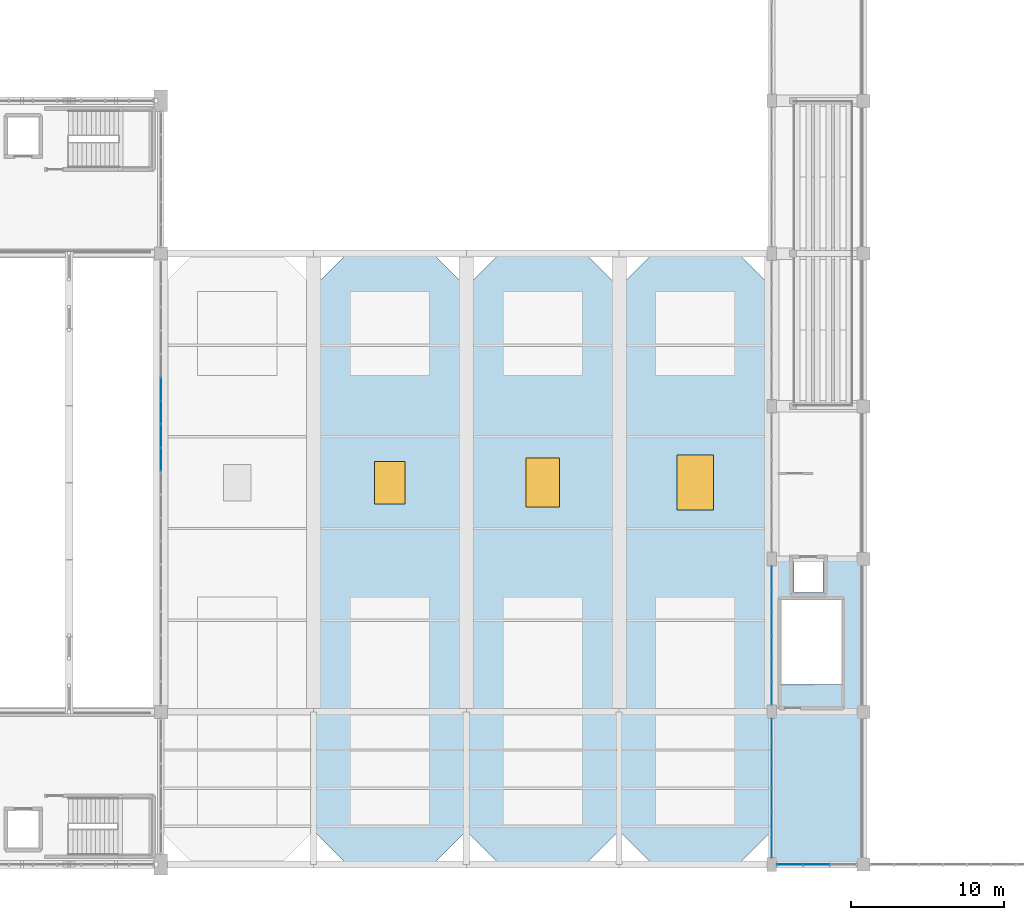
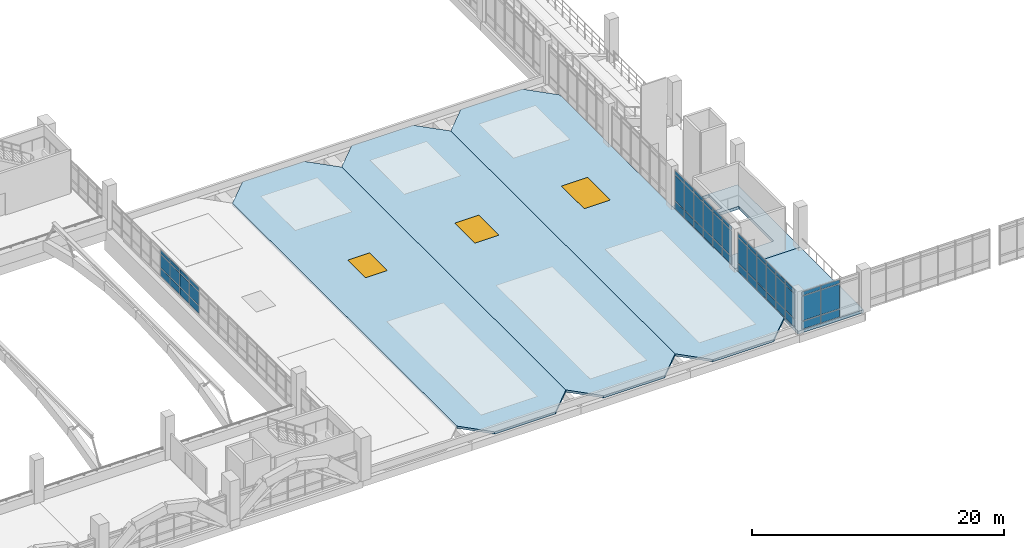
# One storey, part 127 of 161: 54 plates, 5 slabs, 3 windows, 3 openings, 4 elements without a shape of their own.
"""IFC4 building model written with IfcOpenShell, lengths in metres."""

from ifc_helpers import new_model, si_unit, direction, frame, origin, origin_2d, place, context, subcontext, project, spatial, polyline, rectangle, outline, extrude, material, layer, layer_set, type_object, element, fill, aggregate, save


model = new_model("IFC4")

# Units and contexts
model_context = context("Model", 3, precision=1e-05, world=origin(), true_north=direction((0.0, 1.0)))
body_context = subcontext(model_context, "Body", "Model", "MODEL_VIEW")
ifc_project = project(units=[si_unit("LENGTHUNIT", "METRE"), si_unit("AREAUNIT", "SQUARE_METRE"), si_unit("VOLUMEUNIT", "CUBIC_METRE"), si_unit("PLANEANGLEUNIT", "RADIAN"), si_unit("MASSUNIT", "GRAM", prefix="KILO")], contexts=[model_context])

# Site, building, storey
site_placement = place(None, origin())
site = spatial("IfcSite", under=ifc_project, at=site_placement, CompositionType="ELEMENT")
building_placement = place(site_placement, origin())
building = spatial("IfcBuilding", under=site, at=building_placement, Name="Mersad Railyard Sports Hall", CompositionType="ELEMENT")
storey_placement = place(building_placement, frame((0.0, 0.0, 4.800048828125)))
storey = spatial("IfcBuildingStorey", under=building, at=storey_placement, Name="L01", CompositionType="ELEMENT", Elevation=4.800048828125)

# Curtain wall, plates
ifc_material_1 = material(Name="Aluminium 6063-T6", Category="aluminium")
ifc_layer_1 = layer(ifc_material_1, 0.159912109375)
ifc_layer_set_1 = layer_set([ifc_layer_1], Name="Aluminium 6063-T6")
curtain_wall_type_1 = type_object("IfcCurtainWallType", Name="ARC-CW-CW05", PredefinedType="USERDEFINED", material=ifc_layer_set_1)
curtain_wall_1_placement = place(storey_placement, origin())
curtain_wall_1 = element("IfcCurtainWall", 1, at=curtain_wall_1_placement, inside=storey, type_object=curtain_wall_type_1, Name="Curtain wall CW05-0027", ObjectType="CURTAIN WALL", PredefinedType="USERDEFINED")
ifc_material_2 = material(Name="Solar-control glass", Category="glass")
ifc_layer_2 = layer(ifc_material_2, 0.028076171875)
ifc_layer_set_2 = layer_set([ifc_layer_2], Name="Solar-control glass")
plate_type = type_object("IfcPlateType", Name="ARC-CW-PNL01", PredefinedType="CURTAIN_PANEL", material=ifc_layer_set_2)
plate_1_placement = place(storey_placement, frame((91.0, 34.62841796875, 0.0849609375), z_axis=(0.0, 0.0, 1.0), x_axis=(0.0, -1.0, 0.0)))
plate_1 = element("IfcPlate", 2, at=plate_1_placement, type_object=plate_type, Name="CW05 Glazed panel 6-1", PredefinedType="CURTAIN_PANEL", context=body_context, shape_type="SweptSolid", body=[
    extrude(rectangle(XDim=1.488037109375, YDim=0.028076171875, at=origin_2d()), origin(), (0.0, 0.0, 1.0), 0.719970703125),
])
plate_2_placement = place(storey_placement, frame((91.0, 34.62841796875, 0.89501953125), z_axis=(0.0, 0.0, 1.0), x_axis=(0.0, -1.0, 0.0)))
plate_2 = element("IfcPlate", 3, at=plate_2_placement, type_object=plate_type, Name="CW05 Glazed panel 6-2", PredefinedType="CURTAIN_PANEL", context=body_context, shape_type="SweptSolid", body=[
    extrude(rectangle(XDim=1.488037109375, YDim=0.028076171875, at=origin_2d()), origin(), (0.0, 0.0, 1.0), 1.260009765625),
])
plate_3_placement = place(storey_placement, frame((91.0, 34.62841796875, 2.244873046875), z_axis=(0.0, 0.0, 1.0), x_axis=(0.0, -1.0, 0.0)))
plate_3 = element("IfcPlate", 4, at=plate_3_placement, type_object=plate_type, Name="CW05 Glazed panel 6-3", PredefinedType="CURTAIN_PANEL", context=body_context, shape_type="SweptSolid", body=[
    extrude(rectangle(XDim=1.488037109375, YDim=0.028076171875, at=origin_2d()), origin(), (0.0, 0.0, 1.0), 0.35009765625),
])
plate_4_placement = place(storey_placement, frame((91.0, 33.096435546875, 0.0849609375), z_axis=(0.0, 0.0, 1.0), x_axis=(0.0, -1.0, 0.0)))
plate_4 = element("IfcPlate", 5, at=plate_4_placement, type_object=plate_type, Name="CW05 Glazed panel 7-1", PredefinedType="CURTAIN_PANEL", context=body_context, shape_type="SweptSolid", body=[
    extrude(rectangle(XDim=1.488037109375, YDim=0.028076171875, at=origin_2d()), origin(), (0.0, 0.0, 1.0), 0.719970703125),
])
plate_5_placement = place(storey_placement, frame((91.0, 33.096435546875, 0.89501953125), z_axis=(0.0, 0.0, 1.0), x_axis=(0.0, -1.0, 0.0)))
plate_5 = element("IfcPlate", 6, at=plate_5_placement, type_object=plate_type, Name="CW05 Glazed panel 7-2", PredefinedType="CURTAIN_PANEL", context=body_context, shape_type="SweptSolid", body=[
    extrude(rectangle(XDim=1.488037109375, YDim=0.028076171875, at=origin_2d()), origin(), (0.0, 0.0, 1.0), 1.260009765625),
])
plate_6_placement = place(storey_placement, frame((91.0, 33.096435546875, 2.244873046875), z_axis=(0.0, 0.0, 1.0), x_axis=(0.0, -1.0, 0.0)))
plate_6 = element("IfcPlate", 7, at=plate_6_placement, type_object=plate_type, Name="CW05 Glazed panel 7-3", PredefinedType="CURTAIN_PANEL", context=body_context, shape_type="SweptSolid", body=[
    extrude(rectangle(XDim=1.488037109375, YDim=0.028076171875, at=origin_2d()), origin(), (0.0, 0.0, 1.0), 0.35009765625),
])
plate_7_placement = place(storey_placement, frame((91.0, 31.564208984375, 0.0849609375), z_axis=(0.0, 0.0, 1.0), x_axis=(0.0, -1.0, 0.0)))
plate_7 = element("IfcPlate", 8, at=plate_7_placement, type_object=plate_type, Name="CW05 Glazed panel 8-1", PredefinedType="CURTAIN_PANEL", context=body_context, shape_type="SweptSolid", body=[
    extrude(rectangle(XDim=1.488037109375, YDim=0.028076171875, at=origin_2d()), origin(), (0.0, 0.0, 1.0), 0.719970703125),
])
plate_8_placement = place(storey_placement, frame((91.0, 31.564208984375, 0.89501953125), z_axis=(0.0, 0.0, 1.0), x_axis=(0.0, -1.0, 0.0)))
plate_8 = element("IfcPlate", 9, at=plate_8_placement, type_object=plate_type, Name="CW05 Glazed panel 8-2", PredefinedType="CURTAIN_PANEL", context=body_context, shape_type="SweptSolid", body=[
    extrude(rectangle(XDim=1.488037109375, YDim=0.028076171875, at=origin_2d()), origin(), (0.0, 0.0, 1.0), 1.260009765625),
])
plate_9_placement = place(storey_placement, frame((91.0, 31.564208984375, 2.244873046875), z_axis=(0.0, 0.0, 1.0), x_axis=(0.0, -1.0, 0.0)))
plate_9 = element("IfcPlate", 10, at=plate_9_placement, type_object=plate_type, Name="CW05 Glazed panel 8-3", PredefinedType="CURTAIN_PANEL", context=body_context, shape_type="SweptSolid", body=[
    extrude(rectangle(XDim=1.488037109375, YDim=0.028076171875, at=origin_2d()), origin(), (0.0, 0.0, 1.0), 0.35009765625),
])
plate_10_placement = place(storey_placement, frame((91.0, 30.0322265625, 0.0849609375), z_axis=(0.0, 0.0, 1.0), x_axis=(0.0, -1.0, 0.0)))
plate_10 = element("IfcPlate", 11, at=plate_10_placement, type_object=plate_type, Name="CW05 Glazed panel 9-1", PredefinedType="CURTAIN_PANEL", context=body_context, shape_type="SweptSolid", body=[
    extrude(rectangle(XDim=1.488037109375, YDim=0.028076171875, at=origin_2d()), origin(), (0.0, 0.0, 1.0), 0.719970703125),
])
plate_11_placement = place(storey_placement, frame((91.0, 30.0322265625, 0.89501953125), z_axis=(0.0, 0.0, 1.0), x_axis=(0.0, -1.0, 0.0)))
plate_11 = element("IfcPlate", 12, at=plate_11_placement, type_object=plate_type, Name="CW05 Glazed panel 9-2", PredefinedType="CURTAIN_PANEL", context=body_context, shape_type="SweptSolid", body=[
    extrude(rectangle(XDim=1.488037109375, YDim=0.028076171875, at=origin_2d()), origin(), (0.0, 0.0, 1.0), 1.260009765625),
])
plate_12_placement = place(storey_placement, frame((91.0, 30.0322265625, 2.244873046875), z_axis=(0.0, 0.0, 1.0), x_axis=(0.0, -1.0, 0.0)))
plate_12 = element("IfcPlate", 13, at=plate_12_placement, type_object=plate_type, Name="CW05 Glazed panel 9-3", PredefinedType="CURTAIN_PANEL", context=body_context, shape_type="SweptSolid", body=[
    extrude(rectangle(XDim=1.488037109375, YDim=0.028076171875, at=origin_2d()), origin(), (0.0, 0.0, 1.0), 0.35009765625),
])
aggregate(curtain_wall_1, [plate_1, plate_2, plate_3, plate_4, plate_5, plate_6, plate_7, plate_8, plate_9, plate_10, plate_11, plate_12])

ifc_layer_3 = layer(ifc_material_1, 0.199951171875)
ifc_layer_set_3 = layer_set([ifc_layer_3], Name="Aluminium 6063-T6")
curtain_wall_type_2 = type_object("IfcCurtainWallType", Name="ARC-CW-CW09", PredefinedType="USERDEFINED", material=ifc_layer_set_3)
curtain_wall_2_placement = place(storey_placement, origin())
curtain_wall_2 = element("IfcCurtainWall", 14, at=curtain_wall_2_placement, inside=storey, type_object=curtain_wall_type_2, Name="Curtain wall CW09-0036", ObjectType="CURTAIN WALL", PredefinedType="USERDEFINED")
plate_13_placement = place(storey_placement, frame((133.9375, 3.5, 0.0849609375), z_axis=(0.0, 0.0, 1.0), x_axis=(-1.0, 0.0, 0.0)))
plate_13 = element("IfcPlate", 15, at=plate_13_placement, type_object=plate_type, Name="CW09 Glazed panel 2-1", PredefinedType="CURTAIN_PANEL", context=body_context, shape_type="SweptSolid", body=[
    extrude(rectangle(XDim=1.700927734375, YDim=0.028076171875, at=origin_2d()), origin(), (0.0, 0.0, 1.0), 0.719970703125),
])
plate_14_placement = place(storey_placement, frame((133.9375, 3.5, 0.89501953125), z_axis=(0.0, 0.0, 1.0), x_axis=(-1.0, 0.0, 0.0)))
plate_14 = element("IfcPlate", 16, at=plate_14_placement, type_object=plate_type, Name="CW09 Glazed panel 2-2", PredefinedType="CURTAIN_PANEL", context=body_context, shape_type="SweptSolid", body=[
    extrude(rectangle(XDim=1.700927734375, YDim=0.028076171875, at=origin_2d()), origin(), (0.0, 0.0, 1.0), 2.360107421875),
])
plate_15_placement = place(storey_placement, frame((133.9375, 3.5, 3.344970703125), z_axis=(0.0, 0.0, 1.0), x_axis=(-1.0, 0.0, 0.0)))
plate_15 = element("IfcPlate", 17, at=plate_15_placement, type_object=plate_type, Name="CW09 Glazed panel 2-3", PredefinedType="CURTAIN_PANEL", context=body_context, shape_type="SweptSolid", body=[
    extrude(rectangle(XDim=1.700927734375, YDim=0.028076171875, at=origin_2d()), origin(), (0.0, 0.0, 1.0), 0.35009765625),
])
plate_16_placement = place(storey_placement, frame((132.1923828125, 3.5, 0.0849609375), z_axis=(0.0, 0.0, 1.0), x_axis=(-1.0, 0.0, 0.0)))
plate_16 = element("IfcPlate", 18, at=plate_16_placement, type_object=plate_type, Name="CW09 Glazed panel 3-1", PredefinedType="CURTAIN_PANEL", context=body_context, shape_type="SweptSolid", body=[
    extrude(rectangle(XDim=1.700927734375, YDim=0.028076171875, at=origin_2d()), origin(), (0.0, 0.0, 1.0), 0.719970703125),
])
plate_17_placement = place(storey_placement, frame((132.1923828125, 3.5, 0.89501953125), z_axis=(0.0, 0.0, 1.0), x_axis=(-1.0, 0.0, 0.0)))
plate_17 = element("IfcPlate", 19, at=plate_17_placement, type_object=plate_type, Name="CW09 Glazed panel 3-2", PredefinedType="CURTAIN_PANEL", context=body_context, shape_type="SweptSolid", body=[
    extrude(rectangle(XDim=1.700927734375, YDim=0.028076171875, at=origin_2d()), origin(), (0.0, 0.0, 1.0), 2.360107421875),
])
plate_18_placement = place(storey_placement, frame((132.1923828125, 3.5, 3.344970703125), z_axis=(0.0, 0.0, 1.0), x_axis=(-1.0, 0.0, 0.0)))
plate_18 = element("IfcPlate", 20, at=plate_18_placement, type_object=plate_type, Name="CW09 Glazed panel 3-3", PredefinedType="CURTAIN_PANEL", context=body_context, shape_type="SweptSolid", body=[
    extrude(rectangle(XDim=1.700927734375, YDim=0.028076171875, at=origin_2d()), origin(), (0.0, 0.0, 1.0), 0.35009765625),
])
aggregate(curtain_wall_2, [plate_13, plate_14, plate_15, plate_16, plate_17, plate_18])

ifc_layer_4 = layer(ifc_material_1, 0.159912109375)
ifc_layer_set_4 = layer_set([ifc_layer_4], Name="Aluminium 6063-T6")
curtain_wall_type_3 = type_object("IfcCurtainWallType", Name="ARC-CW-CW14", PredefinedType="USERDEFINED", material=ifc_layer_set_4)
curtain_wall_3_placement = place(storey_placement, origin())
curtain_wall_3 = element("IfcCurtainWall", 21, at=curtain_wall_3_placement, inside=storey, type_object=curtain_wall_type_3, Name="Curtain wall CW14-0064", ObjectType="CURTAIN WALL", PredefinedType="USERDEFINED")
plate_19_placement = place(storey_placement, frame((131.0, 4.72509765625, 0.0849609375), z_axis=(0.0, 0.0, 1.0), x_axis=(0.0, 1.0, 0.0)))
plate_19 = element("IfcPlate", 22, at=plate_19_placement, type_object=plate_type, Name="CW14 Glazed panel 1-1", PredefinedType="CURTAIN_PANEL", context=body_context, shape_type="SweptSolid", body=[
    extrude(rectangle(XDim=1.466064453125, YDim=0.028076171875, at=origin_2d()), origin(), (0.0, 0.0, 1.0), 0.719970703125),
])
plate_20_placement = place(storey_placement, frame((131.0, 4.72509765625, 0.89501953125), z_axis=(0.0, 0.0, 1.0), x_axis=(0.0, 1.0, 0.0)))
plate_20 = element("IfcPlate", 23, at=plate_20_placement, type_object=plate_type, Name="CW14 Glazed panel 1-2", PredefinedType="CURTAIN_PANEL", context=body_context, shape_type="SweptSolid", body=[
    extrude(rectangle(XDim=1.466064453125, YDim=0.028076171875, at=origin_2d()), origin(), (0.0, 0.0, 1.0), 2.409912109375),
])
plate_21_placement = place(storey_placement, frame((131.0, 4.72509765625, 3.39501953125), z_axis=(0.0, 0.0, 1.0), x_axis=(0.0, 1.0, 0.0)))
plate_21 = element("IfcPlate", 24, at=plate_21_placement, type_object=plate_type, Name="CW14 Glazed panel 1-3", PredefinedType="CURTAIN_PANEL", context=body_context, shape_type="SweptSolid", body=[
    extrude(rectangle(XDim=1.466064453125, YDim=0.028076171875, at=origin_2d()), origin(), (0.0, 0.0, 1.0), 0.35009765625),
])
plate_22_placement = place(storey_placement, frame((131.0, 6.235107421875, 0.0849609375), z_axis=(0.0, 0.0, 1.0), x_axis=(0.0, 1.0, 0.0)))
plate_22 = element("IfcPlate", 25, at=plate_22_placement, type_object=plate_type, Name="CW14 Glazed panel 2-1", PredefinedType="CURTAIN_PANEL", context=body_context, shape_type="SweptSolid", body=[
    extrude(rectangle(XDim=1.466064453125, YDim=0.028076171875, at=origin_2d()), origin(), (0.0, 0.0, 1.0), 0.719970703125),
])
plate_23_placement = place(storey_placement, frame((131.0, 6.235107421875, 0.89501953125), z_axis=(0.0, 0.0, 1.0), x_axis=(0.0, 1.0, 0.0)))
plate_23 = element("IfcPlate", 26, at=plate_23_placement, type_object=plate_type, Name="CW14 Glazed panel 2-2", PredefinedType="CURTAIN_PANEL", context=body_context, shape_type="SweptSolid", body=[
    extrude(rectangle(XDim=1.466064453125, YDim=0.028076171875, at=origin_2d()), origin(), (0.0, 0.0, 1.0), 2.409912109375),
])
plate_24_placement = place(storey_placement, frame((131.0, 6.235107421875, 3.39501953125), z_axis=(0.0, 0.0, 1.0), x_axis=(0.0, 1.0, 0.0)))
plate_24 = element("IfcPlate", 27, at=plate_24_placement, type_object=plate_type, Name="CW14 Glazed panel 2-3", PredefinedType="CURTAIN_PANEL", context=body_context, shape_type="SweptSolid", body=[
    extrude(rectangle(XDim=1.466064453125, YDim=0.028076171875, at=origin_2d()), origin(), (0.0, 0.0, 1.0), 0.35009765625),
])
plate_25_placement = place(storey_placement, frame((131.0, 7.7451171875, 0.0849609375), z_axis=(0.0, 0.0, 1.0), x_axis=(0.0, 1.0, 0.0)))
plate_25 = element("IfcPlate", 28, at=plate_25_placement, type_object=plate_type, Name="CW14 Glazed panel 3-1", PredefinedType="CURTAIN_PANEL", context=body_context, shape_type="SweptSolid", body=[
    extrude(rectangle(XDim=1.466064453125, YDim=0.028076171875, at=origin_2d()), origin(), (0.0, 0.0, 1.0), 0.719970703125),
])
plate_26_placement = place(storey_placement, frame((131.0, 7.7451171875, 0.89501953125), z_axis=(0.0, 0.0, 1.0), x_axis=(0.0, 1.0, 0.0)))
plate_26 = element("IfcPlate", 29, at=plate_26_placement, type_object=plate_type, Name="CW14 Glazed panel 3-2", PredefinedType="CURTAIN_PANEL", context=body_context, shape_type="SweptSolid", body=[
    extrude(rectangle(XDim=1.466064453125, YDim=0.028076171875, at=origin_2d()), origin(), (0.0, 0.0, 1.0), 2.409912109375),
])
plate_27_placement = place(storey_placement, frame((131.0, 7.7451171875, 3.39501953125), z_axis=(0.0, 0.0, 1.0), x_axis=(0.0, 1.0, 0.0)))
plate_27 = element("IfcPlate", 30, at=plate_27_placement, type_object=plate_type, Name="CW14 Glazed panel 3-3", PredefinedType="CURTAIN_PANEL", context=body_context, shape_type="SweptSolid", body=[
    extrude(rectangle(XDim=1.466064453125, YDim=0.028076171875, at=origin_2d()), origin(), (0.0, 0.0, 1.0), 0.35009765625),
])
plate_28_placement = place(storey_placement, frame((131.0, 9.2548828125, 0.0849609375), z_axis=(0.0, 0.0, 1.0), x_axis=(0.0, 1.0, 0.0)))
plate_28 = element("IfcPlate", 31, at=plate_28_placement, type_object=plate_type, Name="CW14 Glazed panel 4-1", PredefinedType="CURTAIN_PANEL", context=body_context, shape_type="SweptSolid", body=[
    extrude(rectangle(XDim=1.466064453125, YDim=0.028076171875, at=origin_2d()), origin(), (0.0, 0.0, 1.0), 0.719970703125),
])
plate_29_placement = place(storey_placement, frame((131.0, 9.2548828125, 0.89501953125), z_axis=(0.0, 0.0, 1.0), x_axis=(0.0, 1.0, 0.0)))
plate_29 = element("IfcPlate", 32, at=plate_29_placement, type_object=plate_type, Name="CW14 Glazed panel 4-2", PredefinedType="CURTAIN_PANEL", context=body_context, shape_type="SweptSolid", body=[
    extrude(rectangle(XDim=1.466064453125, YDim=0.028076171875, at=origin_2d()), origin(), (0.0, 0.0, 1.0), 2.409912109375),
])
plate_30_placement = place(storey_placement, frame((131.0, 9.2548828125, 3.39501953125), z_axis=(0.0, 0.0, 1.0), x_axis=(0.0, 1.0, 0.0)))
plate_30 = element("IfcPlate", 33, at=plate_30_placement, type_object=plate_type, Name="CW14 Glazed panel 4-3", PredefinedType="CURTAIN_PANEL", context=body_context, shape_type="SweptSolid", body=[
    extrude(rectangle(XDim=1.466064453125, YDim=0.028076171875, at=origin_2d()), origin(), (0.0, 0.0, 1.0), 0.35009765625),
])
plate_31_placement = place(storey_placement, frame((131.0, 10.764892578125, 0.0849609375), z_axis=(0.0, 0.0, 1.0), x_axis=(0.0, 1.0, 0.0)))
plate_31 = element("IfcPlate", 34, at=plate_31_placement, type_object=plate_type, Name="CW14 Glazed panel 5-1", PredefinedType="CURTAIN_PANEL", context=body_context, shape_type="SweptSolid", body=[
    extrude(rectangle(XDim=1.466064453125, YDim=0.028076171875, at=origin_2d()), origin(), (0.0, 0.0, 1.0), 0.719970703125),
])
plate_32_placement = place(storey_placement, frame((131.0, 10.764892578125, 0.89501953125), z_axis=(0.0, 0.0, 1.0), x_axis=(0.0, 1.0, 0.0)))
plate_32 = element("IfcPlate", 35, at=plate_32_placement, type_object=plate_type, Name="CW14 Glazed panel 5-2", PredefinedType="CURTAIN_PANEL", context=body_context, shape_type="SweptSolid", body=[
    extrude(rectangle(XDim=1.466064453125, YDim=0.028076171875, at=origin_2d()), origin(), (0.0, 0.0, 1.0), 2.409912109375),
])
plate_33_placement = place(storey_placement, frame((131.0, 10.764892578125, 3.39501953125), z_axis=(0.0, 0.0, 1.0), x_axis=(0.0, 1.0, 0.0)))
plate_33 = element("IfcPlate", 36, at=plate_33_placement, type_object=plate_type, Name="CW14 Glazed panel 5-3", PredefinedType="CURTAIN_PANEL", context=body_context, shape_type="SweptSolid", body=[
    extrude(rectangle(XDim=1.466064453125, YDim=0.028076171875, at=origin_2d()), origin(), (0.0, 0.0, 1.0), 0.35009765625),
])
plate_34_placement = place(storey_placement, frame((131.0, 12.27490234375, 0.0849609375), z_axis=(0.0, 0.0, 1.0), x_axis=(0.0, 1.0, 0.0)))
plate_34 = element("IfcPlate", 37, at=plate_34_placement, type_object=plate_type, Name="CW14 Glazed panel 6-1", PredefinedType="CURTAIN_PANEL", context=body_context, shape_type="SweptSolid", body=[
    extrude(rectangle(XDim=1.466064453125, YDim=0.028076171875, at=origin_2d()), origin(), (0.0, 0.0, 1.0), 0.719970703125),
])
plate_35_placement = place(storey_placement, frame((131.0, 12.27490234375, 0.89501953125), z_axis=(0.0, 0.0, 1.0), x_axis=(0.0, 1.0, 0.0)))
plate_35 = element("IfcPlate", 38, at=plate_35_placement, type_object=plate_type, Name="CW14 Glazed panel 6-2", PredefinedType="CURTAIN_PANEL", context=body_context, shape_type="SweptSolid", body=[
    extrude(rectangle(XDim=1.466064453125, YDim=0.028076171875, at=origin_2d()), origin(), (0.0, 0.0, 1.0), 2.409912109375),
])
plate_36_placement = place(storey_placement, frame((131.0, 12.27490234375, 3.39501953125), z_axis=(0.0, 0.0, 1.0), x_axis=(0.0, 1.0, 0.0)))
plate_36 = element("IfcPlate", 39, at=plate_36_placement, type_object=plate_type, Name="CW14 Glazed panel 6-3", PredefinedType="CURTAIN_PANEL", context=body_context, shape_type="SweptSolid", body=[
    extrude(rectangle(XDim=1.466064453125, YDim=0.028076171875, at=origin_2d()), origin(), (0.0, 0.0, 1.0), 0.35009765625),
])
aggregate(curtain_wall_3, [plate_19, plate_20, plate_21, plate_22, plate_23, plate_24, plate_25, plate_26, plate_27, plate_28, plate_29, plate_30, plate_31, plate_32, plate_33, plate_34, plate_35, plate_36])

ifc_layer_5 = layer(ifc_material_1, 0.159912109375)
ifc_layer_set_5 = layer_set([ifc_layer_5], Name="Aluminium 6063-T6")
curtain_wall_type_4 = type_object("IfcCurtainWallType", Name="ARC-CW-CW25", PredefinedType="USERDEFINED", material=ifc_layer_set_5)
curtain_wall_4_placement = place(storey_placement, origin())
curtain_wall_4 = element("IfcCurtainWall", 40, at=curtain_wall_4_placement, inside=storey, type_object=curtain_wall_type_4, Name="Curtain wall CW25-0066", ObjectType="CURTAIN WALL", PredefinedType="USERDEFINED")
plate_37_placement = place(storey_placement, frame((131.0, 14.72509765625, 0.0849609375), z_axis=(0.0, 0.0, 1.0), x_axis=(0.0, 1.0, 0.0)))
plate_37 = element("IfcPlate", 41, at=plate_37_placement, type_object=plate_type, Name="CW25 Glazed panel 1-1", PredefinedType="CURTAIN_PANEL", context=body_context, shape_type="SweptSolid", body=[
    extrude(rectangle(XDim=1.466064453125, YDim=0.028076171875, at=origin_2d()), origin(), (0.0, 0.0, 1.0), 0.719970703125),
])
plate_38_placement = place(storey_placement, frame((131.0, 14.72509765625, 0.89501953125), z_axis=(0.0, 0.0, 1.0), x_axis=(0.0, 1.0, 0.0)))
plate_38 = element("IfcPlate", 42, at=plate_38_placement, type_object=plate_type, Name="CW25 Glazed panel 1-2", PredefinedType="CURTAIN_PANEL", context=body_context, shape_type="SweptSolid", body=[
    extrude(rectangle(XDim=1.466064453125, YDim=0.028076171875, at=origin_2d()), origin(), (0.0, 0.0, 1.0), 2.43994140625),
])
plate_39_placement = place(storey_placement, frame((131.0, 14.72509765625, 3.4248046875), z_axis=(0.0, 0.0, 1.0), x_axis=(0.0, 1.0, 0.0)))
plate_39 = element("IfcPlate", 43, at=plate_39_placement, type_object=plate_type, Name="CW25 Glazed panel 1-3", PredefinedType="CURTAIN_PANEL", context=body_context, shape_type="SweptSolid", body=[
    extrude(rectangle(XDim=1.466064453125, YDim=0.028076171875, at=origin_2d()), origin(), (0.0, 0.0, 1.0), 0.35009765625),
])
plate_40_placement = place(storey_placement, frame((131.0, 16.235107421875, 0.0849609375), z_axis=(0.0, 0.0, 1.0), x_axis=(0.0, 1.0, 0.0)))
plate_40 = element("IfcPlate", 44, at=plate_40_placement, type_object=plate_type, Name="CW25 Glazed panel 2-1", PredefinedType="CURTAIN_PANEL", context=body_context, shape_type="SweptSolid", body=[
    extrude(rectangle(XDim=1.466064453125, YDim=0.028076171875, at=origin_2d()), origin(), (0.0, 0.0, 1.0), 0.719970703125),
])
plate_41_placement = place(storey_placement, frame((131.0, 16.235107421875, 0.89501953125), z_axis=(0.0, 0.0, 1.0), x_axis=(0.0, 1.0, 0.0)))
plate_41 = element("IfcPlate", 45, at=plate_41_placement, type_object=plate_type, Name="CW25 Glazed panel 2-2", PredefinedType="CURTAIN_PANEL", context=body_context, shape_type="SweptSolid", body=[
    extrude(rectangle(XDim=1.466064453125, YDim=0.028076171875, at=origin_2d()), origin(), (0.0, 0.0, 1.0), 2.43994140625),
])
plate_42_placement = place(storey_placement, frame((131.0, 16.235107421875, 3.4248046875), z_axis=(0.0, 0.0, 1.0), x_axis=(0.0, 1.0, 0.0)))
plate_42 = element("IfcPlate", 46, at=plate_42_placement, type_object=plate_type, Name="CW25 Glazed panel 2-3", PredefinedType="CURTAIN_PANEL", context=body_context, shape_type="SweptSolid", body=[
    extrude(rectangle(XDim=1.466064453125, YDim=0.028076171875, at=origin_2d()), origin(), (0.0, 0.0, 1.0), 0.35009765625),
])
plate_43_placement = place(storey_placement, frame((131.0, 17.7451171875, 0.0849609375), z_axis=(0.0, 0.0, 1.0), x_axis=(0.0, 1.0, 0.0)))
plate_43 = element("IfcPlate", 47, at=plate_43_placement, type_object=plate_type, Name="CW25 Glazed panel 3-1", PredefinedType="CURTAIN_PANEL", context=body_context, shape_type="SweptSolid", body=[
    extrude(rectangle(XDim=1.466064453125, YDim=0.028076171875, at=origin_2d()), origin(), (0.0, 0.0, 1.0), 0.719970703125),
])
plate_44_placement = place(storey_placement, frame((131.0, 17.7451171875, 0.89501953125), z_axis=(0.0, 0.0, 1.0), x_axis=(0.0, 1.0, 0.0)))
plate_44 = element("IfcPlate", 48, at=plate_44_placement, type_object=plate_type, Name="CW25 Glazed panel 3-2", PredefinedType="CURTAIN_PANEL", context=body_context, shape_type="SweptSolid", body=[
    extrude(rectangle(XDim=1.466064453125, YDim=0.028076171875, at=origin_2d()), origin(), (0.0, 0.0, 1.0), 2.43994140625),
])
plate_45_placement = place(storey_placement, frame((131.0, 17.7451171875, 3.4248046875), z_axis=(0.0, 0.0, 1.0), x_axis=(0.0, 1.0, 0.0)))
plate_45 = element("IfcPlate", 49, at=plate_45_placement, type_object=plate_type, Name="CW25 Glazed panel 3-3", PredefinedType="CURTAIN_PANEL", context=body_context, shape_type="SweptSolid", body=[
    extrude(rectangle(XDim=1.466064453125, YDim=0.028076171875, at=origin_2d()), origin(), (0.0, 0.0, 1.0), 0.35009765625),
])
plate_46_placement = place(storey_placement, frame((131.0, 19.2548828125, 0.0849609375), z_axis=(0.0, 0.0, 1.0), x_axis=(0.0, 1.0, 0.0)))
plate_46 = element("IfcPlate", 50, at=plate_46_placement, type_object=plate_type, Name="CW25 Glazed panel 4-1", PredefinedType="CURTAIN_PANEL", context=body_context, shape_type="SweptSolid", body=[
    extrude(rectangle(XDim=1.466064453125, YDim=0.028076171875, at=origin_2d()), origin(), (0.0, 0.0, 1.0), 0.719970703125),
])
plate_47_placement = place(storey_placement, frame((131.0, 19.2548828125, 0.89501953125), z_axis=(0.0, 0.0, 1.0), x_axis=(0.0, 1.0, 0.0)))
plate_47 = element("IfcPlate", 51, at=plate_47_placement, type_object=plate_type, Name="CW25 Glazed panel 4-2", PredefinedType="CURTAIN_PANEL", context=body_context, shape_type="SweptSolid", body=[
    extrude(rectangle(XDim=1.466064453125, YDim=0.028076171875, at=origin_2d()), origin(), (0.0, 0.0, 1.0), 2.43994140625),
])
plate_48_placement = place(storey_placement, frame((131.0, 19.2548828125, 3.4248046875), z_axis=(0.0, 0.0, 1.0), x_axis=(0.0, 1.0, 0.0)))
plate_48 = element("IfcPlate", 52, at=plate_48_placement, type_object=plate_type, Name="CW25 Glazed panel 4-3", PredefinedType="CURTAIN_PANEL", context=body_context, shape_type="SweptSolid", body=[
    extrude(rectangle(XDim=1.466064453125, YDim=0.028076171875, at=origin_2d()), origin(), (0.0, 0.0, 1.0), 0.35009765625),
])
plate_49_placement = place(storey_placement, frame((131.0, 20.764892578125, 0.0849609375), z_axis=(0.0, 0.0, 1.0), x_axis=(0.0, 1.0, 0.0)))
plate_49 = element("IfcPlate", 53, at=plate_49_placement, type_object=plate_type, Name="CW25 Glazed panel 5-1", PredefinedType="CURTAIN_PANEL", context=body_context, shape_type="SweptSolid", body=[
    extrude(rectangle(XDim=1.466064453125, YDim=0.028076171875, at=origin_2d()), origin(), (0.0, 0.0, 1.0), 0.719970703125),
])
plate_50_placement = place(storey_placement, frame((131.0, 20.764892578125, 0.89501953125), z_axis=(0.0, 0.0, 1.0), x_axis=(0.0, 1.0, 0.0)))
plate_50 = element("IfcPlate", 54, at=plate_50_placement, type_object=plate_type, Name="CW25 Glazed panel 5-2", PredefinedType="CURTAIN_PANEL", context=body_context, shape_type="SweptSolid", body=[
    extrude(rectangle(XDim=1.466064453125, YDim=0.028076171875, at=origin_2d()), origin(), (0.0, 0.0, 1.0), 2.43994140625),
])
plate_51_placement = place(storey_placement, frame((131.0, 20.764892578125, 3.4248046875), z_axis=(0.0, 0.0, 1.0), x_axis=(0.0, 1.0, 0.0)))
plate_51 = element("IfcPlate", 55, at=plate_51_placement, type_object=plate_type, Name="CW25 Glazed panel 5-3", PredefinedType="CURTAIN_PANEL", context=body_context, shape_type="SweptSolid", body=[
    extrude(rectangle(XDim=1.466064453125, YDim=0.028076171875, at=origin_2d()), origin(), (0.0, 0.0, 1.0), 0.35009765625),
])
plate_52_placement = place(storey_placement, frame((131.0, 22.27490234375, 0.0849609375), z_axis=(0.0, 0.0, 1.0), x_axis=(0.0, 1.0, 0.0)))
plate_52 = element("IfcPlate", 56, at=plate_52_placement, type_object=plate_type, Name="CW25 Glazed panel 6-1", PredefinedType="CURTAIN_PANEL", context=body_context, shape_type="SweptSolid", body=[
    extrude(rectangle(XDim=1.466064453125, YDim=0.028076171875, at=origin_2d()), origin(), (0.0, 0.0, 1.0), 0.719970703125),
])
plate_53_placement = place(storey_placement, frame((131.0, 22.27490234375, 0.89501953125), z_axis=(0.0, 0.0, 1.0), x_axis=(0.0, 1.0, 0.0)))
plate_53 = element("IfcPlate", 57, at=plate_53_placement, type_object=plate_type, Name="CW25 Glazed panel 6-2", PredefinedType="CURTAIN_PANEL", context=body_context, shape_type="SweptSolid", body=[
    extrude(rectangle(XDim=1.466064453125, YDim=0.028076171875, at=origin_2d()), origin(), (0.0, 0.0, 1.0), 2.43994140625),
])
plate_54_placement = place(storey_placement, frame((131.0, 22.27490234375, 3.4248046875), z_axis=(0.0, 0.0, 1.0), x_axis=(0.0, 1.0, 0.0)))
plate_54 = element("IfcPlate", 58, at=plate_54_placement, type_object=plate_type, Name="CW25 Glazed panel 6-3", PredefinedType="CURTAIN_PANEL", context=body_context, shape_type="SweptSolid", body=[
    extrude(rectangle(XDim=1.466064453125, YDim=0.028076171875, at=origin_2d()), origin(), (0.0, 0.0, 1.0), 0.35009765625),
])
aggregate(curtain_wall_4, [plate_37, plate_38, plate_39, plate_40, plate_41, plate_42, plate_43, plate_44, plate_45, plate_46, plate_47, plate_48, plate_49, plate_50, plate_51, plate_52, plate_53, plate_54])

# Slabs
ifc_material_3 = material(Name="Concrete C40/50", Category="concrete")
ifc_layer_6 = layer(ifc_material_3, 0.280029296875)
ifc_layer_set_6 = layer_set([ifc_layer_6], Name="Concrete C40/50")
slab_type_1 = type_object("IfcSlabType", Name="STR-SL-FL02", PredefinedType="FLOOR", material=ifc_layer_set_6)
slab_1_placement = place(storey_placement, frame((0.0, 0.0, -0.280029296875)))
element("IfcSlab", 59, at=slab_1_placement, inside=storey, type_object=slab_type_1, Name="Slab SL02-0055", PredefinedType="FLOOR", context=body_context, shape_type="SweptSolid", body=[
    extrude(outline(polyline([(131.0, 3.5), (137.0, 3.5), (137.0, 13.5), (131.0, 13.5), (131.0, 3.5)])), origin(), (0.0, 0.0, 1.0), 0.280029296875),
])
slab_2_placement = place(storey_placement, frame((0.0, 0.0, -0.280029296875)))
element("IfcSlab", 60, at=slab_2_placement, inside=storey, type_object=slab_type_1, Name="Slab SL02-0057", PredefinedType="FLOOR", context=body_context, shape_type="SweptSolid", body=[
    extrude(outline(polyline([(131.0, 13.5), (137.0, 13.5), (137.0, 23.5), (131.0, 23.5), (131.0, 13.5)]), holes=[polyline([(131.60009765625, 15.2900390625), (135.60009765625, 15.2900390625), (135.60009765625, 20.85009765625), (131.60009765625, 20.85009765625), (131.60009765625, 15.2900390625)]), polyline([(132.449951171875, 21.300048828125), (134.35009765625, 21.300048828125), (134.35009765625, 23.419921875), (132.449951171875, 23.419921875), (132.449951171875, 21.300048828125)])]), origin(), (0.0, 0.0, 1.0), 0.280029296875),
])

# Slab, opening, window
ifc_material_4 = material(Name="Architectural concrete C50/60", Category="concrete")
ifc_layer_7 = layer(ifc_material_4, 0.219970703125)
ifc_layer_set_7 = layer_set([ifc_layer_7], Name="Architectural concrete C50/60")
slab_type_2 = type_object("IfcSlabType", Name="STR-SL-RF01", PredefinedType="ROOF", material=ifc_layer_set_7)
slab_3_placement = place(storey_placement, frame((0.0, 0.0, -0.219970703125)))
slab_3 = element("IfcSlab", 61, at=slab_3_placement, inside=storey, type_object=slab_type_2, Name="Slab RS01-0052", PredefinedType="ROOF", context=body_context, shape_type="SweptSolid", body=[
    extrude(outline(polyline([(103.199951171875, 3.5), (108.800048828125, 3.5), (111.0, 5.699951171875), (111.0, 41.300048828125), (108.800048828125, 43.5), (103.199951171875, 43.5), (101.0, 41.300048828125), (101.0, 5.699951171875), (103.199951171875, 3.5)])), origin(), (0.0, 0.0, 1.0), 0.219970703125),
])
opening_1_placement = place(slab_3_placement, frame((106.0, 28.5, -0.010009765625)))
opening_1 = element("IfcOpeningElement", 62, at=opening_1_placement, cuts=slab_3, Name="Opening SK02", PredefinedType="OPENING", context=body_context, shape_type="SweptSolid", body=[
    extrude(rectangle(XDim=2.0, YDim=2.800048828125, at=origin_2d()), origin(), (0.0, 0.0, 1.0), 0.239990234375),
])
window_type_1 = type_object("IfcWindowType", Name="ARC-SK-SK02", PartitioningType="SINGLE_PANEL", PredefinedType="SKYLIGHT", material=ifc_material_2)
window_1_placement = place(slab_3_placement, frame((106.0, 28.5, 0.169921875)))
window_1 = element("IfcWindow", 63, at=window_1_placement, inside=storey, type_object=window_type_1, Name="Foyer skylight SK02-2", OverallHeight=2.800048828125, OverallWidth=2.0, PartitioningType="SINGLE_PANEL", PredefinedType="SKYLIGHT", context=body_context, shape_type="SweptSolid", body=[
    extrude(rectangle(XDim=2.0, YDim=2.800048828125, at=origin_2d()), origin(), (0.0, 0.0, 1.0), 0.050048828125),
])
fill(opening_1, window_1)

slab_4_placement = place(storey_placement, frame((0.0, 0.0, -0.219970703125)))
slab_4 = element("IfcSlab", 64, at=slab_4_placement, inside=storey, type_object=slab_type_2, Name="Slab RS01-0053", PredefinedType="ROOF", context=body_context, shape_type="SweptSolid", body=[
    extrude(outline(polyline([(113.199951171875, 3.5), (118.800048828125, 3.5), (121.0, 5.699951171875), (121.0, 41.300048828125), (118.800048828125, 43.5), (113.199951171875, 43.5), (111.0, 41.300048828125), (111.0, 5.699951171875), (113.199951171875, 3.5)])), origin(), (0.0, 0.0, 1.0), 0.219970703125),
])
opening_2_placement = place(slab_4_placement, frame((116.0, 28.5, -0.010009765625)))
opening_2 = element("IfcOpeningElement", 65, at=opening_2_placement, cuts=slab_4, Name="Opening SK03", PredefinedType="OPENING", context=body_context, shape_type="SweptSolid", body=[
    extrude(rectangle(XDim=2.199951171875, YDim=3.199951171875, at=origin_2d()), origin(), (0.0, 0.0, 1.0), 0.239990234375),
])
window_type_2 = type_object("IfcWindowType", Name="ARC-SK-SK03", PartitioningType="SINGLE_PANEL", PredefinedType="SKYLIGHT", material=ifc_material_2)
window_2_placement = place(slab_4_placement, frame((116.0, 28.5, 0.169921875)))
window_2 = element("IfcWindow", 66, at=window_2_placement, inside=storey, type_object=window_type_2, Name="Foyer skylight SK03-3", OverallHeight=3.199951171875, OverallWidth=2.199951171875, PartitioningType="SINGLE_PANEL", PredefinedType="SKYLIGHT", context=body_context, shape_type="SweptSolid", body=[
    extrude(rectangle(XDim=2.199951171875, YDim=3.199951171875, at=origin_2d()), origin(), (0.0, 0.0, 1.0), 0.050048828125),
])
fill(opening_2, window_2)

slab_5_placement = place(storey_placement, frame((0.0, 0.0, -0.219970703125)))
slab_5 = element("IfcSlab", 67, at=slab_5_placement, inside=storey, type_object=slab_type_2, Name="Slab RS01-0054", PredefinedType="ROOF", context=body_context, shape_type="SweptSolid", body=[
    extrude(outline(polyline([(123.199951171875, 3.5), (128.800048828125, 3.5), (131.0, 5.699951171875), (131.0, 41.300048828125), (128.800048828125, 43.5), (123.199951171875, 43.5), (121.0, 41.300048828125), (121.0, 5.699951171875), (123.199951171875, 3.5)])), origin(), (0.0, 0.0, 1.0), 0.219970703125),
])
opening_3_placement = place(slab_5_placement, frame((126.0, 28.5, -0.010009765625)))
opening_3 = element("IfcOpeningElement", 68, at=opening_3_placement, cuts=slab_5, Name="Opening SK04", PredefinedType="OPENING", context=body_context, shape_type="SweptSolid", body=[
    extrude(rectangle(XDim=2.39990234375, YDim=3.60009765625, at=origin_2d()), origin(), (0.0, 0.0, 1.0), 0.239990234375),
])
window_type_3 = type_object("IfcWindowType", Name="ARC-SK-SK04", PartitioningType="SINGLE_PANEL", PredefinedType="SKYLIGHT", material=ifc_material_2)
window_3_placement = place(slab_5_placement, frame((126.0, 28.5, 0.169921875)))
window_3 = element("IfcWindow", 69, at=window_3_placement, inside=storey, type_object=window_type_3, Name="Foyer skylight SK04-4", OverallHeight=3.60009765625, OverallWidth=2.39990234375, PartitioningType="SINGLE_PANEL", PredefinedType="SKYLIGHT", context=body_context, shape_type="SweptSolid", body=[
    extrude(rectangle(XDim=2.39990234375, YDim=3.60009765625, at=origin_2d()), origin(), (0.0, 0.0, 1.0), 0.050048828125),
])
fill(opening_3, window_3)

save(model, "model.ifc")
